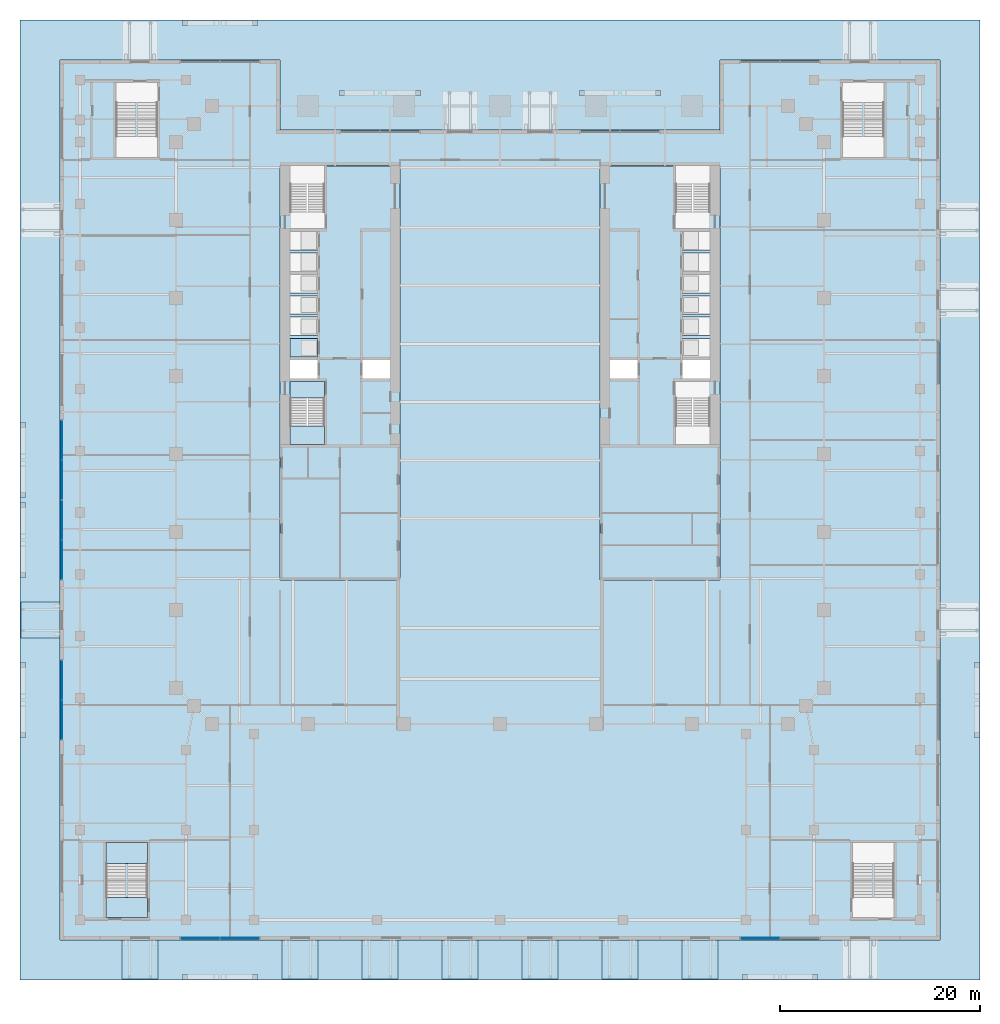
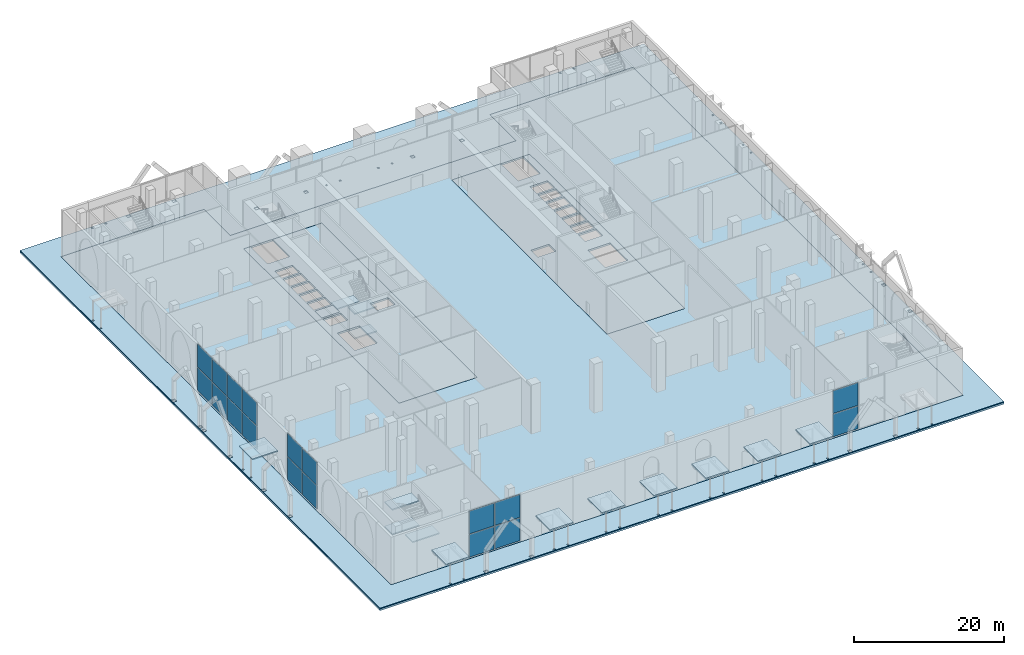
# One storey, part 25 of 38: 20 slabs, 18 plates, 7 elements without a shape of their own.
"""IFC4 building model written with IfcOpenShell, lengths in metres."""

from ifc_helpers import new_model, si_unit, direction, frame, origin, origin_2d, place, context, subcontext, project, spatial, polyline, rectangle, outline, extrude, material, layer, layer_set, type_object, element, aggregate, save


model = new_model("IFC4")

# Units and contexts
model_context = context("Model", 3, precision=1e-05, world=origin(), true_north=direction((0.0, 1.0)))
body_context = subcontext(model_context, "Body", "Model", "MODEL_VIEW")
ifc_project = project(units=[si_unit("LENGTHUNIT", "METRE"), si_unit("AREAUNIT", "SQUARE_METRE"), si_unit("VOLUMEUNIT", "CUBIC_METRE"), si_unit("PLANEANGLEUNIT", "RADIAN"), si_unit("MASSUNIT", "GRAM", prefix="KILO")], contexts=[model_context])

# Site, building, storey
site_placement = place(None, origin())
site = spatial("IfcSite", under=ifc_project, at=site_placement, CompositionType="ELEMENT")
building_placement = place(site_placement, origin())
building = spatial("IfcBuilding", under=site, at=building_placement, Name="Ogive Exchange Tower", CompositionType="ELEMENT")
storey_placement = place(building_placement, origin())
storey = spatial("IfcBuildingStorey", under=building, at=storey_placement, Name="L00", CompositionType="ELEMENT", Elevation=0.0)

# Slabs
ifc_material_1 = material(Name="Concrete C50/60", Category="concrete")
ifc_layer_1 = layer(ifc_material_1, 0.300048828125)
ifc_layer_set_1 = layer_set([ifc_layer_1], Name="Basement roof slab 300")
slab_type_1 = type_object("IfcSlabType", Name="Basement roof slab 300", PredefinedType="ROOF", material=ifc_layer_set_1)
slab_1_placement = place(storey_placement, frame((0.0, 0.0, -0.39990234375)))
element("IfcSlab", 1, at=slab_1_placement, inside=storey, type_object=slab_type_1, Name="Basement roof slab", PredefinedType="ROOF", context=body_context, shape_type="SweptSolid", body=[
    extrude(outline(polyline([(-48.0, -56.0), (-48.0, 40.0), (48.0, 40.0), (48.0, -56.0), (-48.0, -56.0)]), holes=[polyline([(22.0, 36.0), (22.0, 29.0), (-22.0, 29.0), (-22.0, 36.0), (-44.0, 36.0), (-44.0, -52.0), (44.0, -52.0), (44.0, 36.0), (22.0, 36.0)])]), origin(), (0.0, 0.0, 1.0), 0.2998046875),
])
ifc_layer_2 = layer(ifc_material_1, 0.300048828125)
ifc_layer_set_2 = layer_set([ifc_layer_2], Name="Composite floor slab 300")
slab_type_2 = type_object("IfcSlabType", Name="Composite floor slab 300", PredefinedType="FLOOR", material=ifc_layer_set_2)
slab_2_placement = place(storey_placement, frame((0.0, 0.0, -0.300048828125)))
element("IfcSlab", 2, at=slab_2_placement, inside=storey, type_object=slab_type_2, Name="Composite floor slab", PredefinedType="FLOOR", context=body_context, shape_type="SweptSolid", body=[
    extrude(outline(polyline([(44.0, -52.0), (-44.0, -52.0), (-44.0, 36.0), (-22.0, 36.0), (-22.0, 29.0), (22.0, 29.0), (22.0, 36.0), (44.0, 36.0), (44.0, -52.0)]), holes=[polyline([(-10.0, -16.0), (-10.0, 25.39990234375), (-22.0, 25.39990234375), (-22.0, -16.0), (-10.0, -16.0)]), polyline([(22.0, -16.0), (22.0, 25.39990234375), (10.0, 25.39990234375), (10.0, -16.0), (22.0, -16.0)])]), origin(), (0.0, 0.0, 1.0), 0.300048828125),
])
ifc_material_2 = material(Name="Concrete C70/85", Category="concrete")
ifc_layer_3 = layer(ifc_material_2, 0.300048828125)
ifc_layer_set_3 = layer_set([ifc_layer_3], Name="Core floor slab 300")
slab_type_3 = type_object("IfcSlabType", Name="Core floor slab 300", PredefinedType="FLOOR", material=ifc_layer_set_3)
slab_3_placement = place(storey_placement, frame((0.0, 0.0, -0.300048828125)))
element("IfcSlab", 3, at=slab_3_placement, inside=storey, type_object=slab_type_3, Name="Core floor slab", PredefinedType="FLOOR", context=body_context, shape_type="SweptSolid", body=[
    extrude(outline(polyline([(-10.0, 25.39990234375), (-10.0, -16.0), (-22.0, -16.0), (-22.0, 25.39990234375), (-21.0, 25.39990234375), (-21.0, 20.803955078125), (-17.550048828125, 20.803955078125), (-17.550048828125, 25.39990234375), (-10.0, 25.39990234375)]), holes=[polyline([(-17.550048828125, -2.449951171875), (-17.550048828125, 2.196044921875), (-21.0, 2.196044921875), (-21.0, -2.449951171875), (-17.550048828125, -2.449951171875)]), polyline([(-18.25, 5.992919921875), (-21.0, 5.992919921875), (-21.0, 4.14990234375), (-18.25, 4.14990234375), (-18.25, 5.992919921875)]), polyline([(-11.0, 5.992919921875), (-13.75, 5.992919921875), (-13.75, 4.14990234375), (-11.0, 4.14990234375), (-11.0, 5.992919921875)]), polyline([(-18.25, 6.29296875), (-18.25, 8.1357421875), (-21.0, 8.1357421875), (-21.0, 6.29296875), (-18.25, 6.29296875)]), polyline([(-18.25, 8.435791015625), (-18.25, 10.278564453125), (-21.0, 10.278564453125), (-21.0, 8.435791015625), (-18.25, 8.435791015625)]), polyline([(-18.25, 12.42138671875), (-21.0, 12.42138671875), (-21.0, 10.57861328125), (-18.25, 10.57861328125), (-18.25, 12.42138671875)]), polyline([(-18.25, 14.564208984375), (-21.0, 14.564208984375), (-21.0, 12.721435546875), (-18.25, 12.721435546875), (-18.25, 14.564208984375)]), polyline([(-18.25, 16.70703125), (-21.0, 16.70703125), (-21.0, 14.8642578125), (-18.25, 14.8642578125), (-18.25, 16.70703125)]), polyline([(-18.25, 17.007080078125), (-18.25, 18.85009765625), (-21.0, 18.85009765625), (-21.0, 17.007080078125), (-18.25, 17.007080078125)])]), origin(), (0.0, 0.0, 1.0), 0.300048828125),
])
slab_4_placement = place(storey_placement, frame((0.0, 0.0, -0.300048828125)))
element("IfcSlab", 4, at=slab_4_placement, inside=storey, type_object=slab_type_3, Name="Core floor slab", PredefinedType="FLOOR", context=body_context, shape_type="SweptSolid", body=[
    extrude(outline(polyline([(22.0, 25.39990234375), (22.0, -16.0), (10.0, -16.0), (10.0, 25.39990234375), (17.550048828125, 25.39990234375), (17.550048828125, 20.803955078125), (21.0, 20.803955078125), (21.0, 25.39990234375), (22.0, 25.39990234375)]), holes=[polyline([(21.0, -2.449951171875), (21.0, 2.196044921875), (17.550048828125, 2.196044921875), (17.550048828125, -2.449951171875), (21.0, -2.449951171875)]), polyline([(13.75, 5.992919921875), (11.0, 5.992919921875), (11.0, 4.14990234375), (13.75, 4.14990234375), (13.75, 5.992919921875)]), polyline([(21.0, 5.992919921875), (18.25, 5.992919921875), (18.25, 4.14990234375), (21.0, 4.14990234375), (21.0, 5.992919921875)]), polyline([(21.0, 6.29296875), (21.0, 8.1357421875), (18.25, 8.1357421875), (18.25, 6.29296875), (21.0, 6.29296875)]), polyline([(21.0, 8.435791015625), (21.0, 10.278564453125), (18.25, 10.278564453125), (18.25, 8.435791015625), (21.0, 8.435791015625)]), polyline([(21.0, 12.42138671875), (18.25, 12.42138671875), (18.25, 10.57861328125), (21.0, 10.57861328125), (21.0, 12.42138671875)]), polyline([(21.0, 14.564208984375), (18.25, 14.564208984375), (18.25, 12.721435546875), (21.0, 12.721435546875), (21.0, 14.564208984375)]), polyline([(21.0, 16.70703125), (18.25, 16.70703125), (18.25, 14.8642578125), (21.0, 14.8642578125), (21.0, 16.70703125)]), polyline([(21.0, 17.007080078125), (21.0, 18.85009765625), (18.25, 18.85009765625), (18.25, 17.007080078125), (21.0, 17.007080078125)])]), origin(), (0.0, 0.0, 1.0), 0.300048828125),
])
ifc_material_3 = material(Name="Precast concrete C40/50", Category="concrete")
ifc_layer_4 = layer(ifc_material_3, 0.199951171875)
ifc_layer_set_4 = layer_set([ifc_layer_4], Name="Entrance canopy 200")
slab_type_4 = type_object("IfcSlabType", Name="Entrance canopy 200", PredefinedType="ROOF", material=ifc_layer_set_4)
for number, where, z_axis, x_axis, name in (
    (5, (-36.0, -53.949951171875, 3.2998046875), (0.0, 0.0, 1.0), (1.0, 0.0, 0.0), "Entrance canopy 1"),
    (6, (-20.0, -53.949951171875, 3.2998046875), (0.0, 0.0, 1.0), (1.0, 0.0, 0.0), "Entrance canopy 2"),
    (7, (-12.0, -53.949951171875, 3.2998046875), (0.0, 0.0, 1.0), (1.0, 0.0, 0.0), "Entrance canopy 3"),
    (8, (-4.0, -53.949951171875, 3.2998046875), (0.0, 0.0, 1.0), (1.0, 0.0, 0.0), "Entrance canopy 4"),
    (9, (4.0, -53.949951171875, 3.2998046875), (0.0, 0.0, 1.0), (1.0, 0.0, 0.0), "Entrance canopy 5"),
    (10, (12.0, -53.949951171875, 3.2998046875), (0.0, 0.0, 1.0), (1.0, 0.0, 0.0), "Entrance canopy 6"),
    (11, (20.0, -53.949951171875, 3.2998046875), (0.0, 0.0, 1.0), (1.0, 0.0, 0.0), "Entrance canopy 7"),
    (12, (-45.949951171875, -20.0, 3.2998046875), (0.0, 0.0, 1.0), (0.0, -1.0, 0.0), "Entrance canopy 19"),
):
    element("IfcSlab", number, at=place(storey_placement, frame(where, z_axis=z_axis, x_axis=x_axis)), inside=storey, type_object=slab_type_4, Name=name, PredefinedType="ROOF", context=body_context, shape_type="SweptSolid", body=[
        extrude(rectangle(XDim=3.60009765625, YDim=3.89990234375, at=origin_2d()), origin(), (0.0, 0.0, 1.0), 0.199951171875),
    ])
ifc_material_4 = material(Name="Granite paving on compacted base", Category="masonry")
ifc_layer_5 = layer(ifc_material_4, 0.10009765625)
ifc_layer_set_5 = layer_set([ifc_layer_5], Name="Forecourt paving 100")
slab_type_5 = type_object("IfcSlabType", Name="Forecourt paving 100", PredefinedType="USERDEFINED", material=ifc_layer_set_5)
slab_5_placement = place(storey_placement, frame((0.0, 0.0, -0.10009765625)))
element("IfcSlab", 13, at=slab_5_placement, inside=storey, type_object=slab_type_5, Name="Forecourt paving", ObjectType="PAVING", PredefinedType="USERDEFINED", context=body_context, shape_type="SweptSolid", body=[
    extrude(outline(polyline([(-48.0, -56.0), (48.0, -56.0), (48.0, 40.0), (-48.0, 40.0), (-48.0, -56.0)]), holes=[polyline([(44.0, 36.0), (44.0, -52.0), (-44.0, -52.0), (-44.0, 36.0), (-22.0, 36.0), (-22.0, 29.0), (22.0, 29.0), (22.0, 36.0), (44.0, 36.0)]), polyline([(-37.175048828125, -55.824951171875), (-36.925048828125, -55.824951171875), (-36.925048828125, -55.574951171875), (-37.175048828125, -55.574951171875), (-37.175048828125, -55.824951171875)]), polyline([(-35.074951171875, -55.824951171875), (-34.824951171875, -55.824951171875), (-34.824951171875, -55.574951171875), (-35.074951171875, -55.574951171875), (-35.074951171875, -55.824951171875)]), polyline([(-31.77001953125, -55.969970703125), (-31.22998046875, -55.969970703125), (-31.22998046875, -55.429931640625), (-31.77001953125, -55.429931640625), (-31.77001953125, -55.969970703125)]), polyline([(-24.77001953125, -55.969970703125), (-24.22998046875, -55.969970703125), (-24.22998046875, -55.429931640625), (-24.77001953125, -55.429931640625), (-24.77001953125, -55.969970703125)]), polyline([(-21.175048828125, -55.824951171875), (-20.925048828125, -55.824951171875), (-20.925048828125, -55.574951171875), (-21.175048828125, -55.574951171875), (-21.175048828125, -55.824951171875)]), polyline([(-19.074951171875, -55.824951171875), (-18.824951171875, -55.824951171875), (-18.824951171875, -55.574951171875), (-19.074951171875, -55.574951171875), (-19.074951171875, -55.824951171875)]), polyline([(-13.175048828125, -55.824951171875), (-12.925048828125, -55.824951171875), (-12.925048828125, -55.574951171875), (-13.175048828125, -55.574951171875), (-13.175048828125, -55.824951171875)]), polyline([(-11.074951171875, -55.824951171875), (-10.824951171875, -55.824951171875), (-10.824951171875, -55.574951171875), (-11.074951171875, -55.574951171875), (-11.074951171875, -55.824951171875)]), polyline([(-5.175048828125, -55.824951171875), (-4.925048828125, -55.824951171875), (-4.925048828125, -55.574951171875), (-5.175048828125, -55.574951171875), (-5.175048828125, -55.824951171875)]), polyline([(-3.074951171875, -55.824951171875), (-2.824951171875, -55.824951171875), (-2.824951171875, -55.574951171875), (-3.074951171875, -55.574951171875), (-3.074951171875, -55.824951171875)]), polyline([(2.824951171875, -55.824951171875), (3.074951171875, -55.824951171875), (3.074951171875, -55.574951171875), (2.824951171875, -55.574951171875), (2.824951171875, -55.824951171875)]), polyline([(4.925048828125, -55.824951171875), (5.175048828125, -55.824951171875), (5.175048828125, -55.574951171875), (4.925048828125, -55.574951171875), (4.925048828125, -55.824951171875)]), polyline([(10.824951171875, -55.824951171875), (11.074951171875, -55.824951171875), (11.074951171875, -55.574951171875), (10.824951171875, -55.574951171875), (10.824951171875, -55.824951171875)]), polyline([(12.925048828125, -55.824951171875), (13.175048828125, -55.824951171875), (13.175048828125, -55.574951171875), (12.925048828125, -55.574951171875), (12.925048828125, -55.824951171875)]), polyline([(18.824951171875, -55.824951171875), (19.074951171875, -55.824951171875), (19.074951171875, -55.574951171875), (18.824951171875, -55.574951171875), (18.824951171875, -55.824951171875)]), polyline([(20.925048828125, -55.824951171875), (21.175048828125, -55.824951171875), (21.175048828125, -55.574951171875), (20.925048828125, -55.574951171875), (20.925048828125, -55.824951171875)]), polyline([(24.22998046875, -55.969970703125), (24.77001953125, -55.969970703125), (24.77001953125, -55.429931640625), (24.22998046875, -55.429931640625), (24.22998046875, -55.969970703125)]), polyline([(31.22998046875, -55.969970703125), (31.77001953125, -55.969970703125), (31.77001953125, -55.429931640625), (31.22998046875, -55.429931640625), (31.22998046875, -55.969970703125)]), polyline([(34.824951171875, -55.824951171875), (35.074951171875, -55.824951171875), (35.074951171875, -55.574951171875), (34.824951171875, -55.574951171875), (34.824951171875, -55.824951171875)]), polyline([(36.925048828125, -55.824951171875), (37.175048828125, -55.824951171875), (37.175048828125, -55.574951171875), (36.925048828125, -55.574951171875), (36.925048828125, -55.824951171875)]), polyline([(47.429931640625, -31.77001953125), (47.969970703125, -31.77001953125), (47.969970703125, -31.22998046875), (47.429931640625, -31.22998046875), (47.429931640625, -31.77001953125)]), polyline([(47.429931640625, -24.77001953125), (47.969970703125, -24.77001953125), (47.969970703125, -24.22998046875), (47.429931640625, -24.22998046875), (47.429931640625, -24.77001953125)]), polyline([(47.574951171875, -21.175048828125), (47.824951171875, -21.175048828125), (47.824951171875, -20.925048828125), (47.574951171875, -20.925048828125), (47.574951171875, -21.175048828125)]), polyline([(47.574951171875, -19.074951171875), (47.824951171875, -19.074951171875), (47.824951171875, -18.824951171875), (47.574951171875, -18.824951171875), (47.574951171875, -19.074951171875)]), polyline([(47.574951171875, 10.824951171875), (47.824951171875, 10.824951171875), (47.824951171875, 11.074951171875), (47.574951171875, 11.074951171875), (47.574951171875, 10.824951171875)]), polyline([(47.574951171875, 12.925048828125), (47.824951171875, 12.925048828125), (47.824951171875, 13.175048828125), (47.574951171875, 13.175048828125), (47.574951171875, 12.925048828125)]), polyline([(47.574951171875, 18.824951171875), (47.824951171875, 18.824951171875), (47.824951171875, 19.074951171875), (47.574951171875, 19.074951171875), (47.574951171875, 18.824951171875)]), polyline([(47.574951171875, 20.925048828125), (47.824951171875, 20.925048828125), (47.824951171875, 21.175048828125), (47.574951171875, 21.175048828125), (47.574951171875, 20.925048828125)]), polyline([(36.925048828125, 39.574951171875), (37.175048828125, 39.574951171875), (37.175048828125, 39.824951171875), (36.925048828125, 39.824951171875), (36.925048828125, 39.574951171875)]), polyline([(34.824951171875, 39.574951171875), (35.074951171875, 39.574951171875), (35.074951171875, 39.824951171875), (34.824951171875, 39.824951171875), (34.824951171875, 39.574951171875)]), polyline([(15.530029296875, 32.429931640625), (16.070068359375, 32.429931640625), (16.070068359375, 32.969970703125), (15.530029296875, 32.969970703125), (15.530029296875, 32.429931640625)]), polyline([(7.929931640625, 32.429931640625), (8.469970703125, 32.429931640625), (8.469970703125, 32.969970703125), (7.929931640625, 32.969970703125), (7.929931640625, 32.429931640625)]), polyline([(4.925048828125, 32.574951171875), (5.175048828125, 32.574951171875), (5.175048828125, 32.824951171875), (4.925048828125, 32.824951171875), (4.925048828125, 32.574951171875)]), polyline([(2.824951171875, 32.574951171875), (3.074951171875, 32.574951171875), (3.074951171875, 32.824951171875), (2.824951171875, 32.824951171875), (2.824951171875, 32.574951171875)]), polyline([(-3.074951171875, 32.574951171875), (-2.824951171875, 32.574951171875), (-2.824951171875, 32.824951171875), (-3.074951171875, 32.824951171875), (-3.074951171875, 32.574951171875)]), polyline([(-5.175048828125, 32.574951171875), (-4.925048828125, 32.574951171875), (-4.925048828125, 32.824951171875), (-5.175048828125, 32.824951171875), (-5.175048828125, 32.574951171875)]), polyline([(-8.469970703125, 32.429931640625), (-7.929931640625, 32.429931640625), (-7.929931640625, 32.969970703125), (-8.469970703125, 32.969970703125), (-8.469970703125, 32.429931640625)]), polyline([(-16.070068359375, 32.429931640625), (-15.530029296875, 32.429931640625), (-15.530029296875, 32.969970703125), (-16.070068359375, 32.969970703125), (-16.070068359375, 32.429931640625)]), polyline([(-24.77001953125, 39.429931640625), (-24.22998046875, 39.429931640625), (-24.22998046875, 39.969970703125), (-24.77001953125, 39.969970703125), (-24.77001953125, 39.429931640625)]), polyline([(-31.77001953125, 39.429931640625), (-31.22998046875, 39.429931640625), (-31.22998046875, 39.969970703125), (-31.77001953125, 39.969970703125), (-31.77001953125, 39.429931640625)]), polyline([(-35.074951171875, 39.574951171875), (-34.824951171875, 39.574951171875), (-34.824951171875, 39.824951171875), (-35.074951171875, 39.824951171875), (-35.074951171875, 39.574951171875)]), polyline([(-37.175048828125, 39.574951171875), (-36.925048828125, 39.574951171875), (-36.925048828125, 39.824951171875), (-37.175048828125, 39.824951171875), (-37.175048828125, 39.574951171875)]), polyline([(-47.824951171875, 20.925048828125), (-47.574951171875, 20.925048828125), (-47.574951171875, 21.175048828125), (-47.824951171875, 21.175048828125), (-47.824951171875, 20.925048828125)]), polyline([(-47.824951171875, 18.824951171875), (-47.574951171875, 18.824951171875), (-47.574951171875, 19.074951171875), (-47.824951171875, 19.074951171875), (-47.824951171875, 18.824951171875)]), polyline([(-47.969970703125, -0.77001953125), (-47.429931640625, -0.77001953125), (-47.429931640625, -0.22998046875), (-47.969970703125, -0.22998046875), (-47.969970703125, -0.77001953125)]), polyline([(-47.969970703125, -7.77001953125), (-47.429931640625, -7.77001953125), (-47.429931640625, -7.22998046875), (-47.969970703125, -7.22998046875), (-47.969970703125, -7.77001953125)]), polyline([(-47.969970703125, -8.77001953125), (-47.429931640625, -8.77001953125), (-47.429931640625, -8.22998046875), (-47.969970703125, -8.22998046875), (-47.969970703125, -8.77001953125)]), polyline([(-47.969970703125, -15.77001953125), (-47.429931640625, -15.77001953125), (-47.429931640625, -15.22998046875), (-47.969970703125, -15.22998046875), (-47.969970703125, -15.77001953125)]), polyline([(-47.824951171875, -19.074951171875), (-47.574951171875, -19.074951171875), (-47.574951171875, -18.824951171875), (-47.824951171875, -18.824951171875), (-47.824951171875, -19.074951171875)]), polyline([(-47.824951171875, -21.175048828125), (-47.574951171875, -21.175048828125), (-47.574951171875, -20.925048828125), (-47.824951171875, -20.925048828125), (-47.824951171875, -21.175048828125)]), polyline([(-47.969970703125, -24.77001953125), (-47.429931640625, -24.77001953125), (-47.429931640625, -24.22998046875), (-47.969970703125, -24.22998046875), (-47.969970703125, -24.77001953125)]), polyline([(-47.969970703125, -31.77001953125), (-47.429931640625, -31.77001953125), (-47.429931640625, -31.22998046875), (-47.969970703125, -31.22998046875), (-47.969970703125, -31.77001953125)])]), origin(), (0.0, 0.0, 1.0), 0.10009765625),
])

# Curtain wall, plates
ifc_material_5 = material(Name="Anodised aluminium and clear glass", Category="aluminium")
curtain_wall_type_1 = type_object("IfcCurtainWallType", Name="Exchange hall glazing", PredefinedType="NOTDEFINED", material=ifc_material_5)
curtain_wall_1_placement = place(storey_placement, origin())
curtain_wall_1 = element("IfcCurtainWall", 14, at=curtain_wall_1_placement, inside=storey, type_object=curtain_wall_type_1, Name="Exchange hall glazing run HG3", PredefinedType="NOTDEFINED")
ifc_material_6 = material(Name="Clear glass", Category="glass")
ifc_layer_6 = layer(ifc_material_6, 0.0439453125)
ifc_layer_set_6 = layer_set([ifc_layer_6], Name="Laminated clear glass panel 44")
plate_type_1 = type_object("IfcPlateType", Name="Laminated clear glass panel 44", PredefinedType="CURTAIN_PANEL", material=ifc_layer_set_6)
plate_1_placement = place(storey_placement, frame((-29.9775390625, -51.800048828125, 0.08984375), z_axis=(0.0, 0.0, 1.0), x_axis=(1.0, 0.0, 0.0)))
plate_1 = element("IfcPlate", 15, at=plate_1_placement, type_object=plate_type_1, Name="HG3 panel 1.1", PredefinedType="CURTAIN_PANEL", context=body_context, shape_type="SweptSolid", body=[
    extrude(rectangle(XDim=3.864990234375, YDim=0.0439453125, at=origin_2d()), origin(), (0.0, 0.0, 1.0), 3.715087890625),
])
plate_2_placement = place(storey_placement, frame((-29.9775390625, -51.800048828125, 3.89501953125), z_axis=(0.0, 0.0, 1.0), x_axis=(1.0, 0.0, 0.0)))
plate_2 = element("IfcPlate", 16, at=plate_2_placement, type_object=plate_type_1, Name="HG3 panel 1.2", PredefinedType="CURTAIN_PANEL", context=body_context, shape_type="SweptSolid", body=[
    extrude(rectangle(XDim=3.864990234375, YDim=0.0439453125, at=origin_2d()), origin(), (0.0, 0.0, 1.0), 3.715087890625),
])
plate_3_placement = place(storey_placement, frame((-26.0224609375, -51.800048828125, 0.08984375), z_axis=(0.0, 0.0, 1.0), x_axis=(1.0, 0.0, 0.0)))
plate_3 = element("IfcPlate", 17, at=plate_3_placement, type_object=plate_type_1, Name="HG3 panel 2.1", PredefinedType="CURTAIN_PANEL", context=body_context, shape_type="SweptSolid", body=[
    extrude(rectangle(XDim=3.864990234375, YDim=0.0439453125, at=origin_2d()), origin(), (0.0, 0.0, 1.0), 3.715087890625),
])
plate_4_placement = place(storey_placement, frame((-26.0224609375, -51.800048828125, 3.89501953125), z_axis=(0.0, 0.0, 1.0), x_axis=(1.0, 0.0, 0.0)))
plate_4 = element("IfcPlate", 18, at=plate_4_placement, type_object=plate_type_1, Name="HG3 panel 2.2", PredefinedType="CURTAIN_PANEL", context=body_context, shape_type="SweptSolid", body=[
    extrude(rectangle(XDim=3.864990234375, YDim=0.0439453125, at=origin_2d()), origin(), (0.0, 0.0, 1.0), 3.715087890625),
])
aggregate(curtain_wall_1, [plate_1, plate_2, plate_3, plate_4])

curtain_wall_2_placement = place(storey_placement, origin())
curtain_wall_2 = element("IfcCurtainWall", 19, at=curtain_wall_2_placement, inside=storey, type_object=curtain_wall_type_1, Name="Exchange hall glazing run HG10", PredefinedType="NOTDEFINED")
plate_5_placement = place(storey_placement, frame((26.0224609375, -51.800048828125, 0.08984375), z_axis=(0.0, 0.0, 1.0), x_axis=(1.0, 0.0, 0.0)))
plate_5 = element("IfcPlate", 20, at=plate_5_placement, type_object=plate_type_1, Name="HG10 panel 1.1", PredefinedType="CURTAIN_PANEL", context=body_context, shape_type="SweptSolid", body=[
    extrude(rectangle(XDim=3.864990234375, YDim=0.0439453125, at=origin_2d()), origin(), (0.0, 0.0, 1.0), 3.715087890625),
])
plate_6_placement = place(storey_placement, frame((26.0224609375, -51.800048828125, 3.89501953125), z_axis=(0.0, 0.0, 1.0), x_axis=(1.0, 0.0, 0.0)))
plate_6 = element("IfcPlate", 21, at=plate_6_placement, type_object=plate_type_1, Name="HG10 panel 1.2", PredefinedType="CURTAIN_PANEL", context=body_context, shape_type="SweptSolid", body=[
    extrude(rectangle(XDim=3.864990234375, YDim=0.0439453125, at=origin_2d()), origin(), (0.0, 0.0, 1.0), 3.715087890625),
])
aggregate(curtain_wall_2, [plate_5, plate_6])

# Slab
ifc_layer_7 = layer(ifc_material_2, 0.300048828125)
ifc_layer_set_7 = layer_set([ifc_layer_7], Name="Lift pit slab 300")
slab_type_6 = type_object("IfcSlabType", Name="Lift pit slab 300", PredefinedType="BASESLAB", material=ifc_layer_set_7)
slab_6_placement = place(storey_placement, frame((0.0, 0.0, -0.300048828125)))
element("IfcSlab", 22, at=slab_6_placement, inside=storey, type_object=slab_type_6, Name="Lift pit slab W-L1", PredefinedType="BASESLAB", context=body_context, shape_type="SweptSolid", body=[
    extrude(outline(polyline([(-21.0, 6.29296875), (-18.25, 6.29296875), (-18.25, 8.1357421875), (-21.0, 8.1357421875), (-21.0, 6.29296875)])), origin(), (0.0, 0.0, 1.0), 0.300048828125),
])

# Stair, slabs
ifc_material_7 = material(Name="Concrete C40/50", Category="concrete")
stair_type_1 = type_object("IfcStairType", Name="Exit stair 1650 wide", PredefinedType="HALF_TURN_STAIR", material=ifc_material_7)
stair_1_placement = place(storey_placement, origin())
stair_1 = element("IfcStair", 23, at=stair_1_placement, inside=storey, type_object=stair_type_1, Name="L00 exit stair ST1", PredefinedType="HALF_TURN_STAIR")
ifc_layer_8 = layer(ifc_material_7, 0.199951171875)
ifc_layer_set_8 = layer_set([ifc_layer_8], Name="Stair landing 200 slab")
slab_type_7 = type_object("IfcSlabType", Name="Stair landing 200 slab", PredefinedType="LANDING", material=ifc_layer_set_8)
slab_7_placement = place(storey_placement, frame((0.0, 0.0, 1.800048828125)))
slab_7 = element("IfcSlab", 24, at=slab_7_placement, type_object=slab_type_7, Name="ST1 landing 1", PredefinedType="LANDING", context=body_context, shape_type="SweptSolid", body=[
    extrude(outline(polyline([(-21.0, -0.60498046875), (-21.0, -2.449951171875), (-17.550048828125, -2.449951171875), (-17.550048828125, -0.60498046875), (-21.0, -0.60498046875)])), origin(), (0.0, 0.0, 1.0), 0.199951171875),
])
slab_8_placement = place(storey_placement, frame((0.0, 0.0, 3.800048828125)))
slab_8 = element("IfcSlab", 25, at=slab_8_placement, type_object=slab_type_7, Name="ST1 landing 2", PredefinedType="LANDING", context=body_context, shape_type="SweptSolid", body=[
    extrude(outline(polyline([(-21.0, 3.85009765625), (-21.0, 2.199951171875), (-17.550048828125, 2.199951171875), (-17.550048828125, 3.85009765625), (-21.0, 3.85009765625)])), origin(), (0.0, 0.0, 1.0), 0.199951171875),
])
slab_9_placement = place(storey_placement, frame((0.0, 0.0, 5.800048828125)))
slab_9 = element("IfcSlab", 26, at=slab_9_placement, type_object=slab_type_7, Name="ST1 landing 3", PredefinedType="LANDING", context=body_context, shape_type="SweptSolid", body=[
    extrude(outline(polyline([(-21.0, -0.60498046875), (-21.0, -2.449951171875), (-17.550048828125, -2.449951171875), (-17.550048828125, -0.60498046875), (-21.0, -0.60498046875)])), origin(), (0.0, 0.0, 1.0), 0.199951171875),
])
aggregate(stair_1, [slab_7, slab_8, slab_9])

stair_type_2 = type_object("IfcStairType", Name="Exit stair 2000 wide", PredefinedType="HALF_TURN_STAIR", material=ifc_material_7)
stair_2_placement = place(storey_placement, origin())
stair_2 = element("IfcStair", 27, at=stair_2_placement, inside=storey, type_object=stair_type_2, Name="L00 exit stair PS1", PredefinedType="HALF_TURN_STAIR")
slab_10_placement = place(storey_placement, frame((0.0, 0.0, 1.800048828125)))
slab_10 = element("IfcSlab", 28, at=slab_10_placement, type_object=slab_type_7, Name="PS1 landing 1", PredefinedType="LANDING", context=body_context, shape_type="SweptSolid", body=[
    extrude(outline(polyline([(-35.25, -44.340087890625), (-35.25, -42.25), (-39.39990234375, -42.25), (-39.39990234375, -44.340087890625), (-35.25, -44.340087890625)])), origin(), (0.0, 0.0, 1.0), 0.199951171875),
])
slab_11_placement = place(storey_placement, frame((0.0, 0.0, 3.800048828125)))
slab_11 = element("IfcSlab", 29, at=slab_11_placement, type_object=slab_type_7, Name="PS1 landing 2", PredefinedType="LANDING", context=body_context, shape_type="SweptSolid", body=[
    extrude(outline(polyline([(-35.25, -49.75), (-35.25, -47.75), (-39.39990234375, -47.75), (-39.39990234375, -49.75), (-35.25, -49.75)])), origin(), (0.0, 0.0, 1.0), 0.199951171875),
])
slab_12_placement = place(storey_placement, frame((0.0, 0.0, 5.800048828125)))
slab_12 = element("IfcSlab", 30, at=slab_12_placement, type_object=slab_type_7, Name="PS1 landing 3", PredefinedType="LANDING", context=body_context, shape_type="SweptSolid", body=[
    extrude(outline(polyline([(-35.25, -44.340087890625), (-35.25, -42.25), (-39.39990234375, -42.25), (-39.39990234375, -44.340087890625), (-35.25, -44.340087890625)])), origin(), (0.0, 0.0, 1.0), 0.199951171875),
])
aggregate(stair_2, [slab_10, slab_11, slab_12])

# Curtain wall, plates
curtain_wall_type_2 = type_object("IfcCurtainWallType", Name="Podium arcade glazing", PredefinedType="NOTDEFINED", material=ifc_material_5)
curtain_wall_3_placement = place(storey_placement, origin())
curtain_wall_3 = element("IfcCurtainWall", 31, at=curtain_wall_3_placement, inside=storey, type_object=curtain_wall_type_2, Name="Podium arcade glazing run AG48", PredefinedType="NOTDEFINED")
ifc_layer_9 = layer(ifc_material_6, 0.028076171875)
ifc_layer_set_9 = layer_set([ifc_layer_9], Name="Toughened clear glass panel 28")
plate_type_2 = type_object("IfcPlateType", Name="Toughened clear glass panel 28", PredefinedType="CURTAIN_PANEL", material=ifc_layer_set_9)
plate_7_placement = place(storey_placement, frame((-43.800048828125, -2.014892578125, 0.06005859375), z_axis=(0.0, 0.0, 1.0), x_axis=(0.0, -1.0, 0.0)))
plate_7 = element("IfcPlate", 32, at=plate_7_placement, type_object=plate_type_2, Name="AG48 panel 1.1", PredefinedType="CURTAIN_PANEL", context=body_context, shape_type="SweptSolid", body=[
    extrude(rectangle(XDim=3.909912109375, YDim=0.028076171875, at=origin_2d()), origin(), (0.0, 0.0, 1.0), 3.760009765625),
])
plate_8_placement = place(storey_placement, frame((-43.800048828125, -2.014892578125, 3.8798828125), z_axis=(0.0, 0.0, 1.0), x_axis=(0.0, -1.0, 0.0)))
plate_8 = element("IfcPlate", 33, at=plate_8_placement, type_object=plate_type_2, Name="AG48 panel 1.2", PredefinedType="CURTAIN_PANEL", context=body_context, shape_type="SweptSolid", body=[
    extrude(rectangle(XDim=3.909912109375, YDim=0.028076171875, at=origin_2d()), origin(), (0.0, 0.0, 1.0), 3.760009765625),
])
plate_9_placement = place(storey_placement, frame((-43.800048828125, -5.985107421875, 0.06005859375), z_axis=(0.0, 0.0, 1.0), x_axis=(0.0, -1.0, 0.0)))
plate_9 = element("IfcPlate", 34, at=plate_9_placement, type_object=plate_type_2, Name="AG48 panel 2.1", PredefinedType="CURTAIN_PANEL", context=body_context, shape_type="SweptSolid", body=[
    extrude(rectangle(XDim=3.909912109375, YDim=0.028076171875, at=origin_2d()), origin(), (0.0, 0.0, 1.0), 3.760009765625),
])
plate_10_placement = place(storey_placement, frame((-43.800048828125, -5.985107421875, 3.8798828125), z_axis=(0.0, 0.0, 1.0), x_axis=(0.0, -1.0, 0.0)))
plate_10 = element("IfcPlate", 35, at=plate_10_placement, type_object=plate_type_2, Name="AG48 panel 2.2", PredefinedType="CURTAIN_PANEL", context=body_context, shape_type="SweptSolid", body=[
    extrude(rectangle(XDim=3.909912109375, YDim=0.028076171875, at=origin_2d()), origin(), (0.0, 0.0, 1.0), 3.760009765625),
])
aggregate(curtain_wall_3, [plate_7, plate_8, plate_9, plate_10])

curtain_wall_4_placement = place(storey_placement, origin())
curtain_wall_4 = element("IfcCurtainWall", 36, at=curtain_wall_4_placement, inside=storey, type_object=curtain_wall_type_2, Name="Podium arcade glazing run AG49", PredefinedType="NOTDEFINED")
plate_11_placement = place(storey_placement, frame((-43.800048828125, -10.014892578125, 0.06005859375), z_axis=(0.0, 0.0, 1.0), x_axis=(0.0, -1.0, 0.0)))
plate_11 = element("IfcPlate", 37, at=plate_11_placement, type_object=plate_type_2, Name="AG49 panel 1.1", PredefinedType="CURTAIN_PANEL", context=body_context, shape_type="SweptSolid", body=[
    extrude(rectangle(XDim=3.909912109375, YDim=0.028076171875, at=origin_2d()), origin(), (0.0, 0.0, 1.0), 3.760009765625),
])
plate_12_placement = place(storey_placement, frame((-43.800048828125, -10.014892578125, 3.8798828125), z_axis=(0.0, 0.0, 1.0), x_axis=(0.0, -1.0, 0.0)))
plate_12 = element("IfcPlate", 38, at=plate_12_placement, type_object=plate_type_2, Name="AG49 panel 1.2", PredefinedType="CURTAIN_PANEL", context=body_context, shape_type="SweptSolid", body=[
    extrude(rectangle(XDim=3.909912109375, YDim=0.028076171875, at=origin_2d()), origin(), (0.0, 0.0, 1.0), 3.760009765625),
])
plate_13_placement = place(storey_placement, frame((-43.800048828125, -13.985107421875, 0.06005859375), z_axis=(0.0, 0.0, 1.0), x_axis=(0.0, -1.0, 0.0)))
plate_13 = element("IfcPlate", 39, at=plate_13_placement, type_object=plate_type_2, Name="AG49 panel 2.1", PredefinedType="CURTAIN_PANEL", context=body_context, shape_type="SweptSolid", body=[
    extrude(rectangle(XDim=3.909912109375, YDim=0.028076171875, at=origin_2d()), origin(), (0.0, 0.0, 1.0), 3.760009765625),
])
plate_14_placement = place(storey_placement, frame((-43.800048828125, -13.985107421875, 3.8798828125), z_axis=(0.0, 0.0, 1.0), x_axis=(0.0, -1.0, 0.0)))
plate_14 = element("IfcPlate", 40, at=plate_14_placement, type_object=plate_type_2, Name="AG49 panel 2.2", PredefinedType="CURTAIN_PANEL", context=body_context, shape_type="SweptSolid", body=[
    extrude(rectangle(XDim=3.909912109375, YDim=0.028076171875, at=origin_2d()), origin(), (0.0, 0.0, 1.0), 3.760009765625),
])
aggregate(curtain_wall_4, [plate_11, plate_12, plate_13, plate_14])

curtain_wall_5_placement = place(storey_placement, origin())
curtain_wall_5 = element("IfcCurtainWall", 41, at=curtain_wall_5_placement, inside=storey, type_object=curtain_wall_type_2, Name="Podium arcade glazing run AG51", PredefinedType="NOTDEFINED")
plate_15_placement = place(storey_placement, frame((-43.800048828125, -26.014892578125, 0.06005859375), z_axis=(0.0, 0.0, 1.0), x_axis=(0.0, -1.0, 0.0)))
plate_15 = element("IfcPlate", 42, at=plate_15_placement, type_object=plate_type_2, Name="AG51 panel 1.1", PredefinedType="CURTAIN_PANEL", context=body_context, shape_type="SweptSolid", body=[
    extrude(rectangle(XDim=3.909912109375, YDim=0.028076171875, at=origin_2d()), origin(), (0.0, 0.0, 1.0), 3.760009765625),
])
plate_16_placement = place(storey_placement, frame((-43.800048828125, -26.014892578125, 3.8798828125), z_axis=(0.0, 0.0, 1.0), x_axis=(0.0, -1.0, 0.0)))
plate_16 = element("IfcPlate", 43, at=plate_16_placement, type_object=plate_type_2, Name="AG51 panel 1.2", PredefinedType="CURTAIN_PANEL", context=body_context, shape_type="SweptSolid", body=[
    extrude(rectangle(XDim=3.909912109375, YDim=0.028076171875, at=origin_2d()), origin(), (0.0, 0.0, 1.0), 3.760009765625),
])
plate_17_placement = place(storey_placement, frame((-43.800048828125, -29.985107421875, 0.06005859375), z_axis=(0.0, 0.0, 1.0), x_axis=(0.0, -1.0, 0.0)))
plate_17 = element("IfcPlate", 44, at=plate_17_placement, type_object=plate_type_2, Name="AG51 panel 2.1", PredefinedType="CURTAIN_PANEL", context=body_context, shape_type="SweptSolid", body=[
    extrude(rectangle(XDim=3.909912109375, YDim=0.028076171875, at=origin_2d()), origin(), (0.0, 0.0, 1.0), 3.760009765625),
])
plate_18_placement = place(storey_placement, frame((-43.800048828125, -29.985107421875, 3.8798828125), z_axis=(0.0, 0.0, 1.0), x_axis=(0.0, -1.0, 0.0)))
plate_18 = element("IfcPlate", 45, at=plate_18_placement, type_object=plate_type_2, Name="AG51 panel 2.2", PredefinedType="CURTAIN_PANEL", context=body_context, shape_type="SweptSolid", body=[
    extrude(rectangle(XDim=3.909912109375, YDim=0.028076171875, at=origin_2d()), origin(), (0.0, 0.0, 1.0), 3.760009765625),
])
aggregate(curtain_wall_5, [plate_15, plate_16, plate_17, plate_18])

save(model, "model.ifc")
